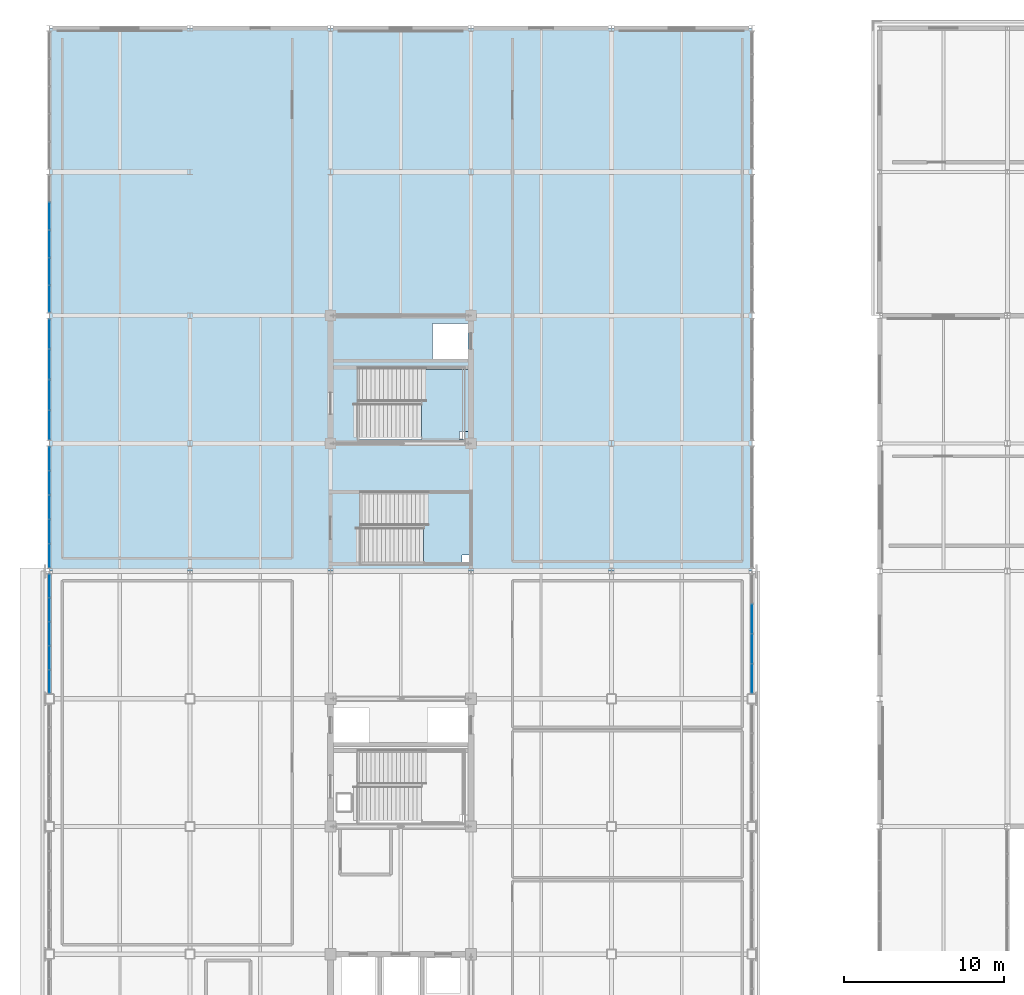
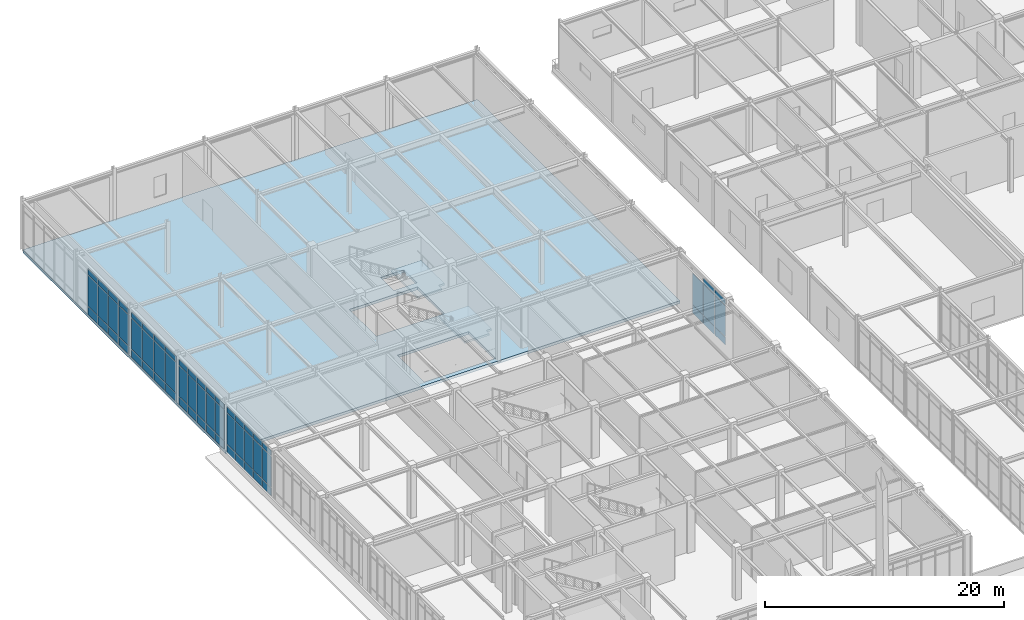
# One storey, part 64 of 108: 62 plates, 3 slabs, 7 elements without a shape of their own.
"""IFC4 building model written with IfcOpenShell, lengths in metres."""

from ifc_helpers import new_model, si_unit, direction, frame, origin, origin_2d, place, context, subcontext, project, spatial, polyline, rectangle, outline, extrude, material, layer, layer_set, type_object, element, aggregate, save


model = new_model("IFC4")

# Units and contexts
model_context = context("Model", 3, precision=1e-05, world=origin(), true_north=direction((0.0, 1.0)))
body_context = subcontext(model_context, "Body", "Model", "MODEL_VIEW")
ifc_project = project(units=[si_unit("LENGTHUNIT", "METRE"), si_unit("AREAUNIT", "SQUARE_METRE"), si_unit("VOLUMEUNIT", "CUBIC_METRE"), si_unit("PLANEANGLEUNIT", "RADIAN"), si_unit("MASSUNIT", "GRAM", prefix="KILO")], contexts=[model_context])

# Site, building, storey
site_placement = place(None, origin())
site = spatial("IfcSite", under=ifc_project, at=site_placement, CompositionType="ELEMENT")
building_placement = place(site_placement, origin())
building = spatial("IfcBuilding", under=site, at=building_placement, Name="Zhaolan Boulevard Law Courts", CompositionType="ELEMENT")
storey_placement = place(building_placement, frame((0.0, 0.0, 10.800048828125)))
storey = spatial("IfcBuildingStorey", under=building, at=storey_placement, Name="L02", CompositionType="ELEMENT", Elevation=10.800048828125)

# Curtain wall, plates
ifc_material_1 = material(Name="Thermally broken aluminium and low-E glazing", Category="aluminium")
curtain_wall_type_1 = type_object("IfcCurtainWallType", Name="CURTAIN WALL M19", PredefinedType="USERDEFINED", material=ifc_material_1)
curtain_wall_1_placement = place(storey_placement, origin())
curtain_wall_1 = element("IfcCurtainWall", 1, at=curtain_wall_1_placement, inside=storey, type_object=curtain_wall_type_1, Name="Curtain Wall CW-L02-115", ObjectType="CURTAIN WALL", PredefinedType="USERDEFINED")
ifc_material_2 = material(Name="Triple-silver low-E insulated glazing", Category="glass")
ifc_layer_1 = layer(ifc_material_2, 0.028076171875)
ifc_layer_set_1 = layer_set([ifc_layer_1])
plate_type = type_object("IfcPlateType", Name="CWPANEL LOW E28", PredefinedType="CURTAIN_PANEL", material=ifc_layer_set_1)
plate_1_placement = place(storey_placement, frame((0.0, 85.042236328125, 0.06494140625), z_axis=(0.0, 0.0, 1.0), x_axis=(0.0, -1.0, 0.0)))
plate_1 = element("IfcPlate", 2, at=plate_1_placement, type_object=plate_type, Name="CW-L02-115 panel 1.1", PredefinedType="CURTAIN_PANEL", context=body_context, shape_type="SweptSolid", body=[
    extrude(rectangle(XDim=1.431640625, YDim=0.028076171875, at=origin_2d()), origin(), (0.0, 0.0, 1.0), 0.802490234375),
])
plate_2_placement = place(storey_placement, frame((0.0, 85.042236328125, 0.932373046875), z_axis=(0.0, 0.0, 1.0), x_axis=(0.0, -1.0, 0.0)))
plate_2 = element("IfcPlate", 3, at=plate_2_placement, type_object=plate_type, Name="CW-L02-115 panel 1.2", PredefinedType="CURTAIN_PANEL", context=body_context, shape_type="SweptSolid", body=[
    extrude(rectangle(XDim=1.431640625, YDim=0.028076171875, at=origin_2d()), origin(), (0.0, 0.0, 1.0), 3.14794921875),
])
plate_3_placement = place(storey_placement, frame((0.0, 85.042236328125, 4.1455078125), z_axis=(0.0, 0.0, 1.0), x_axis=(0.0, -1.0, 0.0)))
plate_3 = element("IfcPlate", 4, at=plate_3_placement, type_object=plate_type, Name="CW-L02-115 panel 1.3", PredefinedType="CURTAIN_PANEL", context=body_context, shape_type="SweptSolid", body=[
    extrude(rectangle(XDim=1.431640625, YDim=0.028076171875, at=origin_2d()), origin(), (0.0, 0.0, 1.0), 0.552490234375),
])
plate_4_placement = place(storey_placement, frame((0.0, 83.529296875, 0.06494140625), z_axis=(0.0, 0.0, 1.0), x_axis=(0.0, -1.0, 0.0)))
plate_4 = element("IfcPlate", 5, at=plate_4_placement, type_object=plate_type, Name="CW-L02-115 panel 2.1", PredefinedType="CURTAIN_PANEL", context=body_context, shape_type="SweptSolid", body=[
    extrude(rectangle(XDim=1.464111328125, YDim=0.028076171875, at=origin_2d()), origin(), (0.0, 0.0, 1.0), 0.802490234375),
])
plate_5_placement = place(storey_placement, frame((0.0, 83.529296875, 0.932373046875), z_axis=(0.0, 0.0, 1.0), x_axis=(0.0, -1.0, 0.0)))
plate_5 = element("IfcPlate", 6, at=plate_5_placement, type_object=plate_type, Name="CW-L02-115 panel 2.2", PredefinedType="CURTAIN_PANEL", context=body_context, shape_type="SweptSolid", body=[
    extrude(rectangle(XDim=1.464111328125, YDim=0.028076171875, at=origin_2d()), origin(), (0.0, 0.0, 1.0), 3.14794921875),
])
plate_6_placement = place(storey_placement, frame((0.0, 83.529296875, 4.1455078125), z_axis=(0.0, 0.0, 1.0), x_axis=(0.0, -1.0, 0.0)))
plate_6 = element("IfcPlate", 7, at=plate_6_placement, type_object=plate_type, Name="CW-L02-115 panel 2.3", PredefinedType="CURTAIN_PANEL", context=body_context, shape_type="SweptSolid", body=[
    extrude(rectangle(XDim=1.464111328125, YDim=0.028076171875, at=origin_2d()), origin(), (0.0, 0.0, 1.0), 0.552490234375),
])
plate_7_placement = place(storey_placement, frame((0.0, 82.0, 0.06494140625), z_axis=(0.0, 0.0, 1.0), x_axis=(0.0, -1.0, 0.0)))
plate_7 = element("IfcPlate", 8, at=plate_7_placement, type_object=plate_type, Name="CW-L02-115 panel 3.1", PredefinedType="CURTAIN_PANEL", context=body_context, shape_type="SweptSolid", body=[
    extrude(rectangle(XDim=1.464111328125, YDim=0.028076171875, at=origin_2d()), origin(), (0.0, 0.0, 1.0), 0.802490234375),
])
plate_8_placement = place(storey_placement, frame((0.0, 82.0, 0.932373046875), z_axis=(0.0, 0.0, 1.0), x_axis=(0.0, -1.0, 0.0)))
plate_8 = element("IfcPlate", 9, at=plate_8_placement, type_object=plate_type, Name="CW-L02-115 panel 3.2", PredefinedType="CURTAIN_PANEL", context=body_context, shape_type="SweptSolid", body=[
    extrude(rectangle(XDim=1.464111328125, YDim=0.028076171875, at=origin_2d()), origin(), (0.0, 0.0, 1.0), 3.14794921875),
])
plate_9_placement = place(storey_placement, frame((0.0, 82.0, 4.1455078125), z_axis=(0.0, 0.0, 1.0), x_axis=(0.0, -1.0, 0.0)))
plate_9 = element("IfcPlate", 10, at=plate_9_placement, type_object=plate_type, Name="CW-L02-115 panel 3.3", PredefinedType="CURTAIN_PANEL", context=body_context, shape_type="SweptSolid", body=[
    extrude(rectangle(XDim=1.464111328125, YDim=0.028076171875, at=origin_2d()), origin(), (0.0, 0.0, 1.0), 0.552490234375),
])
plate_10_placement = place(storey_placement, frame((0.0, 80.470703125, 0.06494140625), z_axis=(0.0, 0.0, 1.0), x_axis=(0.0, -1.0, 0.0)))
plate_10 = element("IfcPlate", 11, at=plate_10_placement, type_object=plate_type, Name="CW-L02-115 panel 4.1", PredefinedType="CURTAIN_PANEL", context=body_context, shape_type="SweptSolid", body=[
    extrude(rectangle(XDim=1.464111328125, YDim=0.028076171875, at=origin_2d()), origin(), (0.0, 0.0, 1.0), 0.802490234375),
])
plate_11_placement = place(storey_placement, frame((0.0, 80.470703125, 0.932373046875), z_axis=(0.0, 0.0, 1.0), x_axis=(0.0, -1.0, 0.0)))
plate_11 = element("IfcPlate", 12, at=plate_11_placement, type_object=plate_type, Name="CW-L02-115 panel 4.2", PredefinedType="CURTAIN_PANEL", context=body_context, shape_type="SweptSolid", body=[
    extrude(rectangle(XDim=1.464111328125, YDim=0.028076171875, at=origin_2d()), origin(), (0.0, 0.0, 1.0), 3.14794921875),
])
plate_12_placement = place(storey_placement, frame((0.0, 80.470703125, 4.1455078125), z_axis=(0.0, 0.0, 1.0), x_axis=(0.0, -1.0, 0.0)))
plate_12 = element("IfcPlate", 13, at=plate_12_placement, type_object=plate_type, Name="CW-L02-115 panel 4.3", PredefinedType="CURTAIN_PANEL", context=body_context, shape_type="SweptSolid", body=[
    extrude(rectangle(XDim=1.464111328125, YDim=0.028076171875, at=origin_2d()), origin(), (0.0, 0.0, 1.0), 0.552490234375),
])
plate_13_placement = place(storey_placement, frame((0.0, 78.957763671875, 0.06494140625), z_axis=(0.0, 0.0, 1.0), x_axis=(0.0, -1.0, 0.0)))
plate_13 = element("IfcPlate", 14, at=plate_13_placement, type_object=plate_type, Name="CW-L02-115 panel 5.1", PredefinedType="CURTAIN_PANEL", context=body_context, shape_type="SweptSolid", body=[
    extrude(rectangle(XDim=1.431640625, YDim=0.028076171875, at=origin_2d()), origin(), (0.0, 0.0, 1.0), 0.802490234375),
])
plate_14_placement = place(storey_placement, frame((0.0, 78.957763671875, 0.932373046875), z_axis=(0.0, 0.0, 1.0), x_axis=(0.0, -1.0, 0.0)))
plate_14 = element("IfcPlate", 15, at=plate_14_placement, type_object=plate_type, Name="CW-L02-115 panel 5.2", PredefinedType="CURTAIN_PANEL", context=body_context, shape_type="SweptSolid", body=[
    extrude(rectangle(XDim=1.431640625, YDim=0.028076171875, at=origin_2d()), origin(), (0.0, 0.0, 1.0), 3.14794921875),
])
plate_15_placement = place(storey_placement, frame((0.0, 78.957763671875, 4.1455078125), z_axis=(0.0, 0.0, 1.0), x_axis=(0.0, -1.0, 0.0)))
plate_15 = element("IfcPlate", 16, at=plate_15_placement, type_object=plate_type, Name="CW-L02-115 panel 5.3", PredefinedType="CURTAIN_PANEL", context=body_context, shape_type="SweptSolid", body=[
    extrude(rectangle(XDim=1.431640625, YDim=0.028076171875, at=origin_2d()), origin(), (0.0, 0.0, 1.0), 0.552490234375),
])
aggregate(curtain_wall_1, [plate_1, plate_2, plate_3, plate_4, plate_5, plate_6, plate_7, plate_8, plate_9, plate_10, plate_11, plate_12, plate_13, plate_14, plate_15])

ifc_material_3 = material(Name="Thermally broken aluminium and low-E glazing", Category="aluminium")
curtain_wall_type_2 = type_object("IfcCurtainWallType", Name="CURTAIN WALL M20", PredefinedType="USERDEFINED", material=ifc_material_3)
curtain_wall_2_placement = place(storey_placement, origin())
curtain_wall_2 = element("IfcCurtainWall", 17, at=curtain_wall_2_placement, inside=storey, type_object=curtain_wall_type_2, Name="Curtain Wall CW-L02-116", ObjectType="CURTAIN WALL", PredefinedType="USERDEFINED")
plate_16_placement = place(storey_placement, frame((0.0, 92.85107421875, 0.06494140625), z_axis=(0.0, 0.0, 1.0), x_axis=(0.0, -1.0, 0.0)))
plate_16 = element("IfcPlate", 18, at=plate_16_placement, type_object=plate_type, Name="CW-L02-116 panel 1.1", PredefinedType="CURTAIN_PANEL", context=body_context, shape_type="SweptSolid", body=[
    extrude(rectangle(XDim=1.81396484375, YDim=0.028076171875, at=origin_2d()), origin(), (0.0, 0.0, 1.0), 0.802490234375),
])
plate_17_placement = place(storey_placement, frame((0.0, 92.85107421875, 0.932373046875), z_axis=(0.0, 0.0, 1.0), x_axis=(0.0, -1.0, 0.0)))
plate_17 = element("IfcPlate", 19, at=plate_17_placement, type_object=plate_type, Name="CW-L02-116 panel 1.2", PredefinedType="CURTAIN_PANEL", context=body_context, shape_type="SweptSolid", body=[
    extrude(rectangle(XDim=1.81396484375, YDim=0.028076171875, at=origin_2d()), origin(), (0.0, 0.0, 1.0), 3.14794921875),
])
plate_18_placement = place(storey_placement, frame((0.0, 92.85107421875, 4.1455078125), z_axis=(0.0, 0.0, 1.0), x_axis=(0.0, -1.0, 0.0)))
plate_18 = element("IfcPlate", 20, at=plate_18_placement, type_object=plate_type, Name="CW-L02-116 panel 1.3", PredefinedType="CURTAIN_PANEL", context=body_context, shape_type="SweptSolid", body=[
    extrude(rectangle(XDim=1.81396484375, YDim=0.028076171875, at=origin_2d()), origin(), (0.0, 0.0, 1.0), 0.552490234375),
])
plate_19_placement = place(storey_placement, frame((0.0, 90.955810546875, 0.06494140625), z_axis=(0.0, 0.0, 1.0), x_axis=(0.0, -1.0, 0.0)))
plate_19 = element("IfcPlate", 21, at=plate_19_placement, type_object=plate_type, Name="CW-L02-116 panel 2.1", PredefinedType="CURTAIN_PANEL", context=body_context, shape_type="SweptSolid", body=[
    extrude(rectangle(XDim=1.846435546875, YDim=0.028076171875, at=origin_2d()), origin(), (0.0, 0.0, 1.0), 0.802490234375),
])
plate_20_placement = place(storey_placement, frame((0.0, 90.955810546875, 0.932373046875), z_axis=(0.0, 0.0, 1.0), x_axis=(0.0, -1.0, 0.0)))
plate_20 = element("IfcPlate", 22, at=plate_20_placement, type_object=plate_type, Name="CW-L02-116 panel 2.2", PredefinedType="CURTAIN_PANEL", context=body_context, shape_type="SweptSolid", body=[
    extrude(rectangle(XDim=1.846435546875, YDim=0.028076171875, at=origin_2d()), origin(), (0.0, 0.0, 1.0), 3.14794921875),
])
plate_21_placement = place(storey_placement, frame((0.0, 90.955810546875, 4.1455078125), z_axis=(0.0, 0.0, 1.0), x_axis=(0.0, -1.0, 0.0)))
plate_21 = element("IfcPlate", 23, at=plate_21_placement, type_object=plate_type, Name="CW-L02-116 panel 2.3", PredefinedType="CURTAIN_PANEL", context=body_context, shape_type="SweptSolid", body=[
    extrude(rectangle(XDim=1.846435546875, YDim=0.028076171875, at=origin_2d()), origin(), (0.0, 0.0, 1.0), 0.552490234375),
])
plate_22_placement = place(storey_placement, frame((0.0, 89.044189453125, 0.06494140625), z_axis=(0.0, 0.0, 1.0), x_axis=(0.0, -1.0, 0.0)))
plate_22 = element("IfcPlate", 24, at=plate_22_placement, type_object=plate_type, Name="CW-L02-116 panel 3.1", PredefinedType="CURTAIN_PANEL", context=body_context, shape_type="SweptSolid", body=[
    extrude(rectangle(XDim=1.846435546875, YDim=0.028076171875, at=origin_2d()), origin(), (0.0, 0.0, 1.0), 0.802490234375),
])
plate_23_placement = place(storey_placement, frame((0.0, 89.044189453125, 0.932373046875), z_axis=(0.0, 0.0, 1.0), x_axis=(0.0, -1.0, 0.0)))
plate_23 = element("IfcPlate", 25, at=plate_23_placement, type_object=plate_type, Name="CW-L02-116 panel 3.2", PredefinedType="CURTAIN_PANEL", context=body_context, shape_type="SweptSolid", body=[
    extrude(rectangle(XDim=1.846435546875, YDim=0.028076171875, at=origin_2d()), origin(), (0.0, 0.0, 1.0), 3.14794921875),
])
plate_24_placement = place(storey_placement, frame((0.0, 89.044189453125, 4.1455078125), z_axis=(0.0, 0.0, 1.0), x_axis=(0.0, -1.0, 0.0)))
plate_24 = element("IfcPlate", 26, at=plate_24_placement, type_object=plate_type, Name="CW-L02-116 panel 3.3", PredefinedType="CURTAIN_PANEL", context=body_context, shape_type="SweptSolid", body=[
    extrude(rectangle(XDim=1.846435546875, YDim=0.028076171875, at=origin_2d()), origin(), (0.0, 0.0, 1.0), 0.552490234375),
])
plate_25_placement = place(storey_placement, frame((0.0, 87.14892578125, 0.06494140625), z_axis=(0.0, 0.0, 1.0), x_axis=(0.0, -1.0, 0.0)))
plate_25 = element("IfcPlate", 27, at=plate_25_placement, type_object=plate_type, Name="CW-L02-116 panel 4.1", PredefinedType="CURTAIN_PANEL", context=body_context, shape_type="SweptSolid", body=[
    extrude(rectangle(XDim=1.81396484375, YDim=0.028076171875, at=origin_2d()), origin(), (0.0, 0.0, 1.0), 0.802490234375),
])
plate_26_placement = place(storey_placement, frame((0.0, 87.14892578125, 0.932373046875), z_axis=(0.0, 0.0, 1.0), x_axis=(0.0, -1.0, 0.0)))
plate_26 = element("IfcPlate", 28, at=plate_26_placement, type_object=plate_type, Name="CW-L02-116 panel 4.2", PredefinedType="CURTAIN_PANEL", context=body_context, shape_type="SweptSolid", body=[
    extrude(rectangle(XDim=1.81396484375, YDim=0.028076171875, at=origin_2d()), origin(), (0.0, 0.0, 1.0), 3.14794921875),
])
plate_27_placement = place(storey_placement, frame((0.0, 87.14892578125, 4.1455078125), z_axis=(0.0, 0.0, 1.0), x_axis=(0.0, -1.0, 0.0)))
plate_27 = element("IfcPlate", 29, at=plate_27_placement, type_object=plate_type, Name="CW-L02-116 panel 4.3", PredefinedType="CURTAIN_PANEL", context=body_context, shape_type="SweptSolid", body=[
    extrude(rectangle(XDim=1.81396484375, YDim=0.028076171875, at=origin_2d()), origin(), (0.0, 0.0, 1.0), 0.552490234375),
])
aggregate(curtain_wall_2, [plate_16, plate_17, plate_18, plate_19, plate_20, plate_21, plate_22, plate_23, plate_24, plate_25, plate_26, plate_27])

ifc_material_4 = material(Name="Thermally broken aluminium and low-E glazing", Category="aluminium")
curtain_wall_type_3 = type_object("IfcCurtainWallType", Name="CURTAIN WALL M21", PredefinedType="USERDEFINED", material=ifc_material_4)
curtain_wall_3_placement = place(storey_placement, origin())
curtain_wall_3 = element("IfcCurtainWall", 30, at=curtain_wall_3_placement, inside=storey, type_object=curtain_wall_type_3, Name="Curtain Wall CW-L02-117", ObjectType="CURTAIN WALL", PredefinedType="USERDEFINED")
plate_28_placement = place(storey_placement, frame((0.0, 100.229248046875, 0.06494140625), z_axis=(0.0, 0.0, 1.0), x_axis=(0.0, -1.0, 0.0)))
plate_28 = element("IfcPlate", 31, at=plate_28_placement, type_object=plate_type, Name="CW-L02-117 panel 2.1", PredefinedType="CURTAIN_PANEL", context=body_context, shape_type="SweptSolid", body=[
    extrude(rectangle(XDim=1.664306640625, YDim=0.028076171875, at=origin_2d()), origin(), (0.0, 0.0, 1.0), 0.802490234375),
])
plate_29_placement = place(storey_placement, frame((0.0, 100.229248046875, 0.932373046875), z_axis=(0.0, 0.0, 1.0), x_axis=(0.0, -1.0, 0.0)))
plate_29 = element("IfcPlate", 32, at=plate_29_placement, type_object=plate_type, Name="CW-L02-117 panel 2.2", PredefinedType="CURTAIN_PANEL", context=body_context, shape_type="SweptSolid", body=[
    extrude(rectangle(XDim=1.664306640625, YDim=0.028076171875, at=origin_2d()), origin(), (0.0, 0.0, 1.0), 3.14794921875),
])
plate_30_placement = place(storey_placement, frame((0.0, 100.229248046875, 4.1455078125), z_axis=(0.0, 0.0, 1.0), x_axis=(0.0, -1.0, 0.0)))
plate_30 = element("IfcPlate", 33, at=plate_30_placement, type_object=plate_type, Name="CW-L02-117 panel 2.3", PredefinedType="CURTAIN_PANEL", context=body_context, shape_type="SweptSolid", body=[
    extrude(rectangle(XDim=1.664306640625, YDim=0.028076171875, at=origin_2d()), origin(), (0.0, 0.0, 1.0), 0.552490234375),
])
plate_31_placement = place(storey_placement, frame((0.0, 98.5, 0.06494140625), z_axis=(0.0, 0.0, 1.0), x_axis=(0.0, -1.0, 0.0)))
plate_31 = element("IfcPlate", 34, at=plate_31_placement, type_object=plate_type, Name="CW-L02-117 panel 3.1", PredefinedType="CURTAIN_PANEL", context=body_context, shape_type="SweptSolid", body=[
    extrude(rectangle(XDim=1.664306640625, YDim=0.028076171875, at=origin_2d()), origin(), (0.0, 0.0, 1.0), 0.802490234375),
])
plate_32_placement = place(storey_placement, frame((0.0, 98.5, 0.932373046875), z_axis=(0.0, 0.0, 1.0), x_axis=(0.0, -1.0, 0.0)))
plate_32 = element("IfcPlate", 35, at=plate_32_placement, type_object=plate_type, Name="CW-L02-117 panel 3.2", PredefinedType="CURTAIN_PANEL", context=body_context, shape_type="SweptSolid", body=[
    extrude(rectangle(XDim=1.664306640625, YDim=0.028076171875, at=origin_2d()), origin(), (0.0, 0.0, 1.0), 3.14794921875),
])
plate_33_placement = place(storey_placement, frame((0.0, 98.5, 4.1455078125), z_axis=(0.0, 0.0, 1.0), x_axis=(0.0, -1.0, 0.0)))
plate_33 = element("IfcPlate", 36, at=plate_33_placement, type_object=plate_type, Name="CW-L02-117 panel 3.3", PredefinedType="CURTAIN_PANEL", context=body_context, shape_type="SweptSolid", body=[
    extrude(rectangle(XDim=1.664306640625, YDim=0.028076171875, at=origin_2d()), origin(), (0.0, 0.0, 1.0), 0.552490234375),
])
plate_34_placement = place(storey_placement, frame((0.0, 96.770751953125, 0.06494140625), z_axis=(0.0, 0.0, 1.0), x_axis=(0.0, -1.0, 0.0)))
plate_34 = element("IfcPlate", 37, at=plate_34_placement, type_object=plate_type, Name="CW-L02-117 panel 4.1", PredefinedType="CURTAIN_PANEL", context=body_context, shape_type="SweptSolid", body=[
    extrude(rectangle(XDim=1.664306640625, YDim=0.028076171875, at=origin_2d()), origin(), (0.0, 0.0, 1.0), 0.802490234375),
])
plate_35_placement = place(storey_placement, frame((0.0, 96.770751953125, 0.932373046875), z_axis=(0.0, 0.0, 1.0), x_axis=(0.0, -1.0, 0.0)))
plate_35 = element("IfcPlate", 38, at=plate_35_placement, type_object=plate_type, Name="CW-L02-117 panel 4.2", PredefinedType="CURTAIN_PANEL", context=body_context, shape_type="SweptSolid", body=[
    extrude(rectangle(XDim=1.664306640625, YDim=0.028076171875, at=origin_2d()), origin(), (0.0, 0.0, 1.0), 3.14794921875),
])
plate_36_placement = place(storey_placement, frame((0.0, 96.770751953125, 4.1455078125), z_axis=(0.0, 0.0, 1.0), x_axis=(0.0, -1.0, 0.0)))
plate_36 = element("IfcPlate", 39, at=plate_36_placement, type_object=plate_type, Name="CW-L02-117 panel 4.3", PredefinedType="CURTAIN_PANEL", context=body_context, shape_type="SweptSolid", body=[
    extrude(rectangle(XDim=1.664306640625, YDim=0.028076171875, at=origin_2d()), origin(), (0.0, 0.0, 1.0), 0.552490234375),
])
plate_37_placement = place(storey_placement, frame((0.0, 95.057861328125, 0.06494140625), z_axis=(0.0, 0.0, 1.0), x_axis=(0.0, -1.0, 0.0)))
plate_37 = element("IfcPlate", 40, at=plate_37_placement, type_object=plate_type, Name="CW-L02-117 panel 5.1", PredefinedType="CURTAIN_PANEL", context=body_context, shape_type="SweptSolid", body=[
    extrude(rectangle(XDim=1.631591796875, YDim=0.028076171875, at=origin_2d()), origin(), (0.0, 0.0, 1.0), 0.802490234375),
])
plate_38_placement = place(storey_placement, frame((0.0, 95.057861328125, 0.932373046875), z_axis=(0.0, 0.0, 1.0), x_axis=(0.0, -1.0, 0.0)))
plate_38 = element("IfcPlate", 41, at=plate_38_placement, type_object=plate_type, Name="CW-L02-117 panel 5.2", PredefinedType="CURTAIN_PANEL", context=body_context, shape_type="SweptSolid", body=[
    extrude(rectangle(XDim=1.631591796875, YDim=0.028076171875, at=origin_2d()), origin(), (0.0, 0.0, 1.0), 3.14794921875),
])
plate_39_placement = place(storey_placement, frame((0.0, 95.057861328125, 4.1455078125), z_axis=(0.0, 0.0, 1.0), x_axis=(0.0, -1.0, 0.0)))
plate_39 = element("IfcPlate", 42, at=plate_39_placement, type_object=plate_type, Name="CW-L02-117 panel 5.3", PredefinedType="CURTAIN_PANEL", context=body_context, shape_type="SweptSolid", body=[
    extrude(rectangle(XDim=1.631591796875, YDim=0.028076171875, at=origin_2d()), origin(), (0.0, 0.0, 1.0), 0.552490234375),
])
aggregate(curtain_wall_3, [plate_28, plate_29, plate_30, plate_31, plate_32, plate_33, plate_34, plate_35, plate_36, plate_37, plate_38, plate_39])

ifc_material_5 = material(Name="Thermally broken aluminium and low-E glazing", Category="aluminium")
curtain_wall_type_4 = type_object("IfcCurtainWallType", Name="CURTAIN WALL M17", PredefinedType="USERDEFINED", material=ifc_material_5)
curtain_wall_4_placement = place(storey_placement, origin())
curtain_wall_4 = element("IfcCurtainWall", 43, at=curtain_wall_4_placement, inside=storey, type_object=curtain_wall_type_4, Name="Curtain Wall CW-L02-161", ObjectType="CURTAIN WALL", PredefinedType="USERDEFINED")
plate_40_placement = place(storey_placement, frame((0.0, 77.0546875, 0.06494140625), z_axis=(0.0, 0.0, 1.0), x_axis=(0.0, -1.0, 0.0)))
plate_40 = element("IfcPlate", 44, at=plate_40_placement, type_object=plate_type, Name="CW-L02-161 panel 1.1", PredefinedType="CURTAIN_PANEL", context=body_context, shape_type="SweptSolid", body=[
    extrude(rectangle(XDim=1.40673828125, YDim=0.028076171875, at=origin_2d()), origin(), (0.0, 0.0, 1.0), 0.802490234375),
])
plate_41_placement = place(storey_placement, frame((0.0, 77.0546875, 0.932373046875), z_axis=(0.0, 0.0, 1.0), x_axis=(0.0, -1.0, 0.0)))
plate_41 = element("IfcPlate", 45, at=plate_41_placement, type_object=plate_type, Name="CW-L02-161 panel 1.2", PredefinedType="CURTAIN_PANEL", context=body_context, shape_type="SweptSolid", body=[
    extrude(rectangle(XDim=1.40673828125, YDim=0.028076171875, at=origin_2d()), origin(), (0.0, 0.0, 1.0), 3.16796875),
])
plate_42_placement = place(storey_placement, frame((0.0, 77.0546875, 4.16552734375), z_axis=(0.0, 0.0, 1.0), x_axis=(0.0, -1.0, 0.0)))
plate_42 = element("IfcPlate", 46, at=plate_42_placement, type_object=plate_type, Name="CW-L02-161 panel 1.3", PredefinedType="CURTAIN_PANEL", context=body_context, shape_type="SweptSolid", body=[
    extrude(rectangle(XDim=1.40673828125, YDim=0.028076171875, at=origin_2d()), origin(), (0.0, 0.0, 1.0), 0.552490234375),
])
plate_43_placement = place(storey_placement, frame((0.0, 75.566650390625, 0.06494140625), z_axis=(0.0, 0.0, 1.0), x_axis=(0.0, -1.0, 0.0)))
plate_43 = element("IfcPlate", 47, at=plate_43_placement, type_object=plate_type, Name="CW-L02-161 panel 2.1", PredefinedType="CURTAIN_PANEL", context=body_context, shape_type="SweptSolid", body=[
    extrude(rectangle(XDim=1.439208984375, YDim=0.028076171875, at=origin_2d()), origin(), (0.0, 0.0, 1.0), 0.802490234375),
])
plate_44_placement = place(storey_placement, frame((0.0, 75.566650390625, 0.932373046875), z_axis=(0.0, 0.0, 1.0), x_axis=(0.0, -1.0, 0.0)))
plate_44 = element("IfcPlate", 48, at=plate_44_placement, type_object=plate_type, Name="CW-L02-161 panel 2.2", PredefinedType="CURTAIN_PANEL", context=body_context, shape_type="SweptSolid", body=[
    extrude(rectangle(XDim=1.439208984375, YDim=0.028076171875, at=origin_2d()), origin(), (0.0, 0.0, 1.0), 3.16796875),
])
plate_45_placement = place(storey_placement, frame((0.0, 75.566650390625, 4.16552734375), z_axis=(0.0, 0.0, 1.0), x_axis=(0.0, -1.0, 0.0)))
plate_45 = element("IfcPlate", 49, at=plate_45_placement, type_object=plate_type, Name="CW-L02-161 panel 2.3", PredefinedType="CURTAIN_PANEL", context=body_context, shape_type="SweptSolid", body=[
    extrude(rectangle(XDim=1.439208984375, YDim=0.028076171875, at=origin_2d()), origin(), (0.0, 0.0, 1.0), 0.552490234375),
])
plate_46_placement = place(storey_placement, frame((0.0, 74.0625, 0.06494140625), z_axis=(0.0, 0.0, 1.0), x_axis=(0.0, -1.0, 0.0)))
plate_46 = element("IfcPlate", 50, at=plate_46_placement, type_object=plate_type, Name="CW-L02-161 panel 3.1", PredefinedType="CURTAIN_PANEL", context=body_context, shape_type="SweptSolid", body=[
    extrude(rectangle(XDim=1.439208984375, YDim=0.028076171875, at=origin_2d()), origin(), (0.0, 0.0, 1.0), 0.802490234375),
])
plate_47_placement = place(storey_placement, frame((0.0, 74.0625, 0.932373046875), z_axis=(0.0, 0.0, 1.0), x_axis=(0.0, -1.0, 0.0)))
plate_47 = element("IfcPlate", 51, at=plate_47_placement, type_object=plate_type, Name="CW-L02-161 panel 3.2", PredefinedType="CURTAIN_PANEL", context=body_context, shape_type="SweptSolid", body=[
    extrude(rectangle(XDim=1.439208984375, YDim=0.028076171875, at=origin_2d()), origin(), (0.0, 0.0, 1.0), 3.16796875),
])
plate_48_placement = place(storey_placement, frame((0.0, 74.0625, 4.16552734375), z_axis=(0.0, 0.0, 1.0), x_axis=(0.0, -1.0, 0.0)))
plate_48 = element("IfcPlate", 52, at=plate_48_placement, type_object=plate_type, Name="CW-L02-161 panel 3.3", PredefinedType="CURTAIN_PANEL", context=body_context, shape_type="SweptSolid", body=[
    extrude(rectangle(XDim=1.439208984375, YDim=0.028076171875, at=origin_2d()), origin(), (0.0, 0.0, 1.0), 0.552490234375),
])
plate_49_placement = place(storey_placement, frame((0.0, 72.558349609375, 0.06494140625), z_axis=(0.0, 0.0, 1.0), x_axis=(0.0, -1.0, 0.0)))
plate_49 = element("IfcPlate", 53, at=plate_49_placement, type_object=plate_type, Name="CW-L02-161 panel 4.1", PredefinedType="CURTAIN_PANEL", context=body_context, shape_type="SweptSolid", body=[
    extrude(rectangle(XDim=1.439208984375, YDim=0.028076171875, at=origin_2d()), origin(), (0.0, 0.0, 1.0), 0.802490234375),
])
plate_50_placement = place(storey_placement, frame((0.0, 72.558349609375, 0.932373046875), z_axis=(0.0, 0.0, 1.0), x_axis=(0.0, -1.0, 0.0)))
plate_50 = element("IfcPlate", 54, at=plate_50_placement, type_object=plate_type, Name="CW-L02-161 panel 4.2", PredefinedType="CURTAIN_PANEL", context=body_context, shape_type="SweptSolid", body=[
    extrude(rectangle(XDim=1.439208984375, YDim=0.028076171875, at=origin_2d()), origin(), (0.0, 0.0, 1.0), 3.16796875),
])
plate_51_placement = place(storey_placement, frame((0.0, 72.558349609375, 4.16552734375), z_axis=(0.0, 0.0, 1.0), x_axis=(0.0, -1.0, 0.0)))
plate_51 = element("IfcPlate", 55, at=plate_51_placement, type_object=plate_type, Name="CW-L02-161 panel 4.3", PredefinedType="CURTAIN_PANEL", context=body_context, shape_type="SweptSolid", body=[
    extrude(rectangle(XDim=1.439208984375, YDim=0.028076171875, at=origin_2d()), origin(), (0.0, 0.0, 1.0), 0.552490234375),
])
plate_52_placement = place(storey_placement, frame((0.0, 71.0703125, 0.06494140625), z_axis=(0.0, 0.0, 1.0), x_axis=(0.0, -1.0, 0.0)))
plate_52 = element("IfcPlate", 56, at=plate_52_placement, type_object=plate_type, Name="CW-L02-161 panel 5.1", PredefinedType="CURTAIN_PANEL", context=body_context, shape_type="SweptSolid", body=[
    extrude(rectangle(XDim=1.40673828125, YDim=0.028076171875, at=origin_2d()), origin(), (0.0, 0.0, 1.0), 0.802490234375),
])
plate_53_placement = place(storey_placement, frame((0.0, 71.0703125, 0.932373046875), z_axis=(0.0, 0.0, 1.0), x_axis=(0.0, -1.0, 0.0)))
plate_53 = element("IfcPlate", 57, at=plate_53_placement, type_object=plate_type, Name="CW-L02-161 panel 5.2", PredefinedType="CURTAIN_PANEL", context=body_context, shape_type="SweptSolid", body=[
    extrude(rectangle(XDim=1.40673828125, YDim=0.028076171875, at=origin_2d()), origin(), (0.0, 0.0, 1.0), 3.16796875),
])
plate_54_placement = place(storey_placement, frame((0.0, 71.0703125, 4.16552734375), z_axis=(0.0, 0.0, 1.0), x_axis=(0.0, -1.0, 0.0)))
plate_54 = element("IfcPlate", 58, at=plate_54_placement, type_object=plate_type, Name="CW-L02-161 panel 5.3", PredefinedType="CURTAIN_PANEL", context=body_context, shape_type="SweptSolid", body=[
    extrude(rectangle(XDim=1.40673828125, YDim=0.028076171875, at=origin_2d()), origin(), (0.0, 0.0, 1.0), 0.552490234375),
])
aggregate(curtain_wall_4, [plate_40, plate_41, plate_42, plate_43, plate_44, plate_45, plate_46, plate_47, plate_48, plate_49, plate_50, plate_51, plate_52, plate_53, plate_54])

ifc_material_6 = material(Name="Thermally broken aluminium and low-E glazing", Category="aluminium")
curtain_wall_type_5 = type_object("IfcCurtainWallType", Name="CURTAIN WALL M23", PredefinedType="USERDEFINED", material=ifc_material_6)
curtain_wall_5_placement = place(storey_placement, origin())
curtain_wall_5 = element("IfcCurtainWall", 59, at=curtain_wall_5_placement, inside=storey, type_object=curtain_wall_type_5, Name="Curtain Wall CW-L02-167", ObjectType="CURTAIN WALL", PredefinedType="USERDEFINED")
plate_55_placement = place(storey_placement, frame((44.0, 71.25830078125, 0.06494140625), z_axis=(0.0, 0.0, 1.0), x_axis=(0.0, 1.0, 0.0)))
plate_55 = element("IfcPlate", 60, at=plate_55_placement, type_object=plate_type, Name="CW-L02-167 panel 1.1", PredefinedType="CURTAIN_PANEL", context=body_context, shape_type="SweptSolid", body=[
    extrude(rectangle(XDim=1.78271484375, YDim=0.028076171875, at=origin_2d()), origin(), (0.0, 0.0, 1.0), 0.802490234375),
])
plate_56_placement = place(storey_placement, frame((44.0, 71.25830078125, 0.932373046875), z_axis=(0.0, 0.0, 1.0), x_axis=(0.0, 1.0, 0.0)))
plate_56 = element("IfcPlate", 61, at=plate_56_placement, type_object=plate_type, Name="CW-L02-167 panel 1.2", PredefinedType="CURTAIN_PANEL", context=body_context, shape_type="SweptSolid", body=[
    extrude(rectangle(XDim=1.78271484375, YDim=0.028076171875, at=origin_2d()), origin(), (0.0, 0.0, 1.0), 3.16796875),
])
plate_57_placement = place(storey_placement, frame((44.0, 71.25830078125, 4.16552734375), z_axis=(0.0, 0.0, 1.0), x_axis=(0.0, 1.0, 0.0)))
plate_57 = element("IfcPlate", 62, at=plate_57_placement, type_object=plate_type, Name="CW-L02-167 panel 1.3", PredefinedType="CURTAIN_PANEL", context=body_context, shape_type="SweptSolid", body=[
    extrude(rectangle(XDim=1.78271484375, YDim=0.028076171875, at=origin_2d()), origin(), (0.0, 0.0, 1.0), 0.552490234375),
])
plate_58_placement = place(storey_placement, frame((44.0, 73.122314453125, 0.06494140625), z_axis=(0.0, 0.0, 1.0), x_axis=(0.0, 1.0, 0.0)))
plate_58 = element("IfcPlate", 63, at=plate_58_placement, type_object=plate_type, Name="CW-L02-167 panel 2.1", PredefinedType="CURTAIN_PANEL", context=body_context, shape_type="SweptSolid", body=[
    extrude(rectangle(XDim=1.815185546875, YDim=0.028076171875, at=origin_2d()), origin(), (0.0, 0.0, 1.0), 0.802490234375),
])
plate_59_placement = place(storey_placement, frame((44.0, 73.122314453125, 0.932373046875), z_axis=(0.0, 0.0, 1.0), x_axis=(0.0, 1.0, 0.0)))
plate_59 = element("IfcPlate", 64, at=plate_59_placement, type_object=plate_type, Name="CW-L02-167 panel 2.2", PredefinedType="CURTAIN_PANEL", context=body_context, shape_type="SweptSolid", body=[
    extrude(rectangle(XDim=1.815185546875, YDim=0.028076171875, at=origin_2d()), origin(), (0.0, 0.0, 1.0), 3.16796875),
])
plate_60_placement = place(storey_placement, frame((44.0, 73.122314453125, 4.16552734375), z_axis=(0.0, 0.0, 1.0), x_axis=(0.0, 1.0, 0.0)))
plate_60 = element("IfcPlate", 65, at=plate_60_placement, type_object=plate_type, Name="CW-L02-167 panel 2.3", PredefinedType="CURTAIN_PANEL", context=body_context, shape_type="SweptSolid", body=[
    extrude(rectangle(XDim=1.815185546875, YDim=0.028076171875, at=origin_2d()), origin(), (0.0, 0.0, 1.0), 0.552490234375),
])
plate_61_placement = place(storey_placement, frame((44.0, 75.002685546875, 0.06494140625), z_axis=(0.0, 0.0, 1.0), x_axis=(0.0, 1.0, 0.0)))
plate_61 = element("IfcPlate", 66, at=plate_61_placement, type_object=plate_type, Name="CW-L02-167 panel 3.1", PredefinedType="CURTAIN_PANEL", context=body_context, shape_type="SweptSolid", body=[
    extrude(rectangle(XDim=1.815185546875, YDim=0.028076171875, at=origin_2d()), origin(), (0.0, 0.0, 1.0), 0.802490234375),
])
plate_62_placement = place(storey_placement, frame((44.0, 75.002685546875, 0.932373046875), z_axis=(0.0, 0.0, 1.0), x_axis=(0.0, 1.0, 0.0)))
plate_62 = element("IfcPlate", 67, at=plate_62_placement, type_object=plate_type, Name="CW-L02-167 panel 3.2", PredefinedType="CURTAIN_PANEL", context=body_context, shape_type="SweptSolid", body=[
    extrude(rectangle(XDim=1.815185546875, YDim=0.028076171875, at=origin_2d()), origin(), (0.0, 0.0, 1.0), 3.16796875),
])
aggregate(curtain_wall_5, [plate_55, plate_56, plate_57, plate_58, plate_59, plate_60, plate_61, plate_62])

# Slab
ifc_material_7 = material(Name="Concrete C40", Category="concrete")
ifc_layer_2 = layer(ifc_material_7, 0.280029296875)
ifc_layer_set_2 = layer_set([ifc_layer_2])
slab_type_1 = type_object("IfcSlabType", Name="FLOOR SLAB 280", PredefinedType="FLOOR", material=ifc_layer_set_2)
slab_1_placement = place(storey_placement, frame((0.0, 0.0, -0.280029296875)))
element("IfcSlab", 68, at=slab_1_placement, inside=storey, type_object=slab_type_1, Name="Slab SLB-L02-V3", PredefinedType="FLOOR", context=body_context, shape_type="SweptSolid", body=[
    extrude(outline(polyline([(0.0, 78.0), (44.0, 78.0), (44.0, 112.0), (0.0, 112.0), (0.0, 78.0)]), holes=[polyline([(23.97509765625, 91.300048828125), (26.22509765625, 91.300048828125), (26.22509765625, 93.5), (23.97509765625, 93.5), (23.97509765625, 91.300048828125)]), polyline([(19.35009765625, 86.25), (25.949951171875, 86.25), (25.949951171875, 90.75), (19.35009765625, 90.75), (19.35009765625, 86.25)]), polyline([(19.5, 78.449951171875), (26.39990234375, 78.449951171875), (26.39990234375, 82.949951171875), (19.5, 82.949951171875), (19.5, 78.449951171875)])]), origin(), (0.0, 0.0, 1.0), 0.280029296875),
])

# Stair, slab
ifc_material_8 = material(Name="Concrete C40", Category="concrete")
stair_type_1 = type_object("IfcStairType", Name="HALF TURN STAIR 54 A", PredefinedType="HALF_TURN_STAIR", material=ifc_material_8)
stair_1_placement = place(storey_placement, origin())
stair_1 = element("IfcStair", 69, at=stair_1_placement, inside=storey, type_object=stair_type_1, Name="Stair ST10-L02", PredefinedType="HALF_TURN_STAIR")
ifc_material_9 = material(Name="Concrete C40", Category="concrete")
ifc_layer_3 = layer(ifc_material_9, 0.199951171875)
ifc_layer_set_3 = layer_set([ifc_layer_3])
slab_type_2 = type_object("IfcSlabType", Name="STAIR LANDING 200", PredefinedType="LANDING", material=ifc_layer_set_3)
slab_2_placement = place(storey_placement, frame((0.0, 0.0, 2.5)))
slab_2 = element("IfcSlab", 70, at=slab_2_placement, type_object=slab_type_2, Name="Stair Landing ST10-L02-L1", PredefinedType="LANDING", context=body_context, shape_type="SweptSolid", body=[
    extrude(outline(polyline([(23.2900390625, 86.169921875), (25.669921875, 86.169921875), (25.669921875, 86.72998046875), (26.22998046875, 86.72998046875), (26.22998046875, 90.639892578125), (23.2900390625, 90.639892578125), (23.2900390625, 86.169921875)])), origin(), (0.0, 0.0, 1.0), 0.199951171875),
])
aggregate(stair_1, [slab_2])

ifc_material_10 = material(Name="Concrete C40", Category="concrete")
stair_type_2 = type_object("IfcStairType", Name="HALF TURN STAIR 54 B", PredefinedType="HALF_TURN_STAIR", material=ifc_material_10)
stair_2_placement = place(storey_placement, origin())
stair_2 = element("IfcStair", 71, at=stair_2_placement, inside=storey, type_object=stair_type_2, Name="Stair ST12-L02", PredefinedType="HALF_TURN_STAIR")
slab_3_placement = place(storey_placement, frame((0.0, 0.0, 2.5)))
slab_3 = element("IfcSlab", 72, at=slab_3_placement, type_object=slab_type_2, Name="Stair Landing ST12-L02-L1", PredefinedType="LANDING", context=body_context, shape_type="SweptSolid", body=[
    extrude(outline(polyline([(23.43994140625, 78.5), (25.840087890625, 78.5), (25.840087890625, 79.010009765625), (26.35009765625, 79.010009765625), (26.35009765625, 82.89990234375), (23.43994140625, 82.89990234375), (23.43994140625, 78.5)])), origin(), (0.0, 0.0, 1.0), 0.199951171875),
])
aggregate(stair_2, [slab_3])

save(model, "model.ifc")
